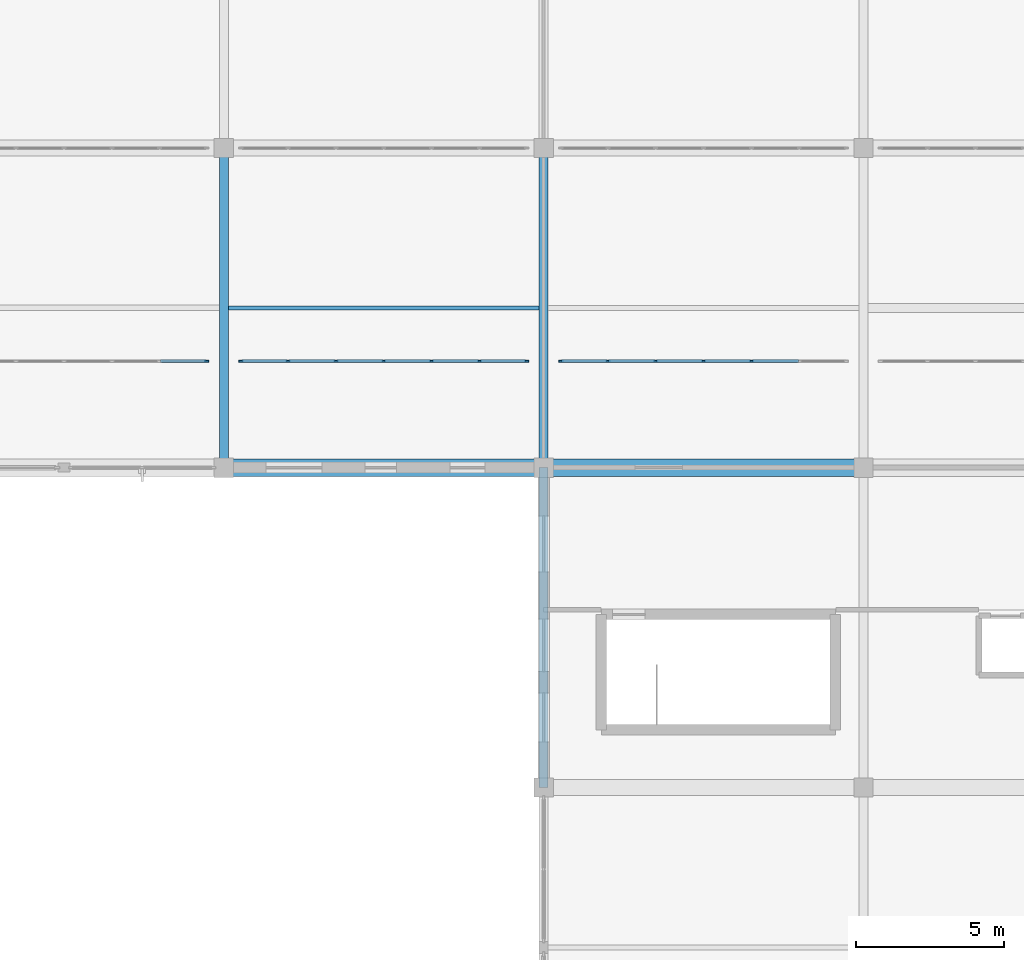
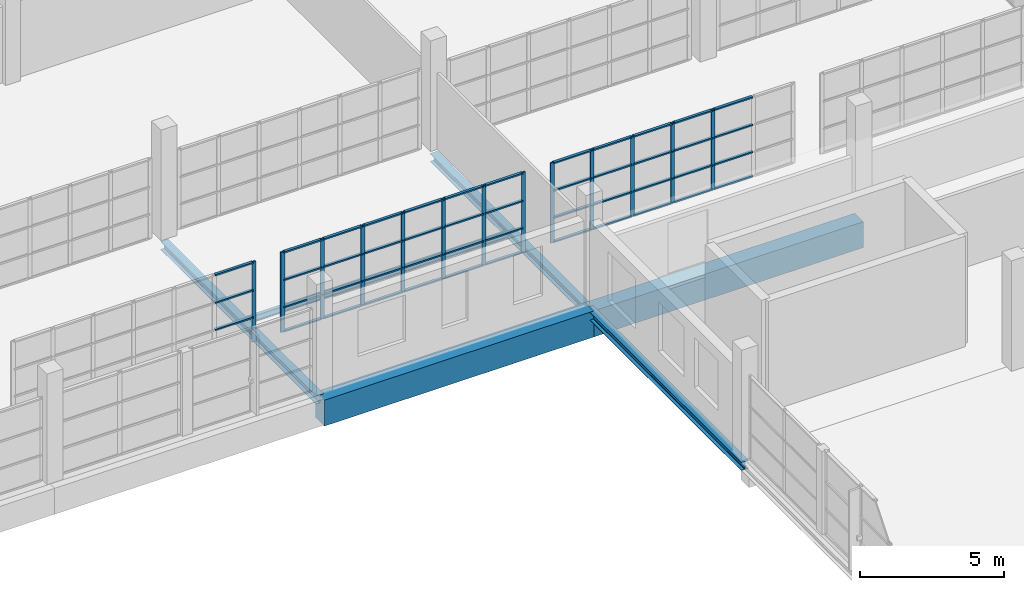
# One storey, part 69 of 142: 60 members, 6 beams, 3 elements without a shape of their own.
"""IFC4 building model written with IfcOpenShell, lengths in metres."""

from ifc_helpers import new_model, si_unit, direction, frame, origin, origin_2d, place, context, subcontext, project, spatial, rectangle, i_section, extrude, material, material_profile, profile_set, type_object, element, aggregate, save


model = new_model("IFC4")

# Units and contexts
model_context = context("Model", 3, precision=1e-05, world=origin(), true_north=direction((0.0, 1.0)))
body_context = subcontext(model_context, "Body", "Model", "MODEL_VIEW")
ifc_project = project(units=[si_unit("LENGTHUNIT", "METRE"), si_unit("AREAUNIT", "SQUARE_METRE"), si_unit("VOLUMEUNIT", "CUBIC_METRE"), si_unit("PLANEANGLEUNIT", "RADIAN"), si_unit("MASSUNIT", "GRAM", prefix="KILO")], contexts=[model_context])

# Site, building, storey
site_placement = place(None, origin())
site = spatial("IfcSite", under=ifc_project, at=site_placement, CompositionType="ELEMENT")
building_placement = place(site_placement, origin())
building = spatial("IfcBuilding", under=site, at=building_placement, Name="Zwinboog Wholesale Market", CompositionType="ELEMENT")
storey_placement = place(building_placement, frame((0.0, 0.0, 5.39990234375)))
storey = spatial("IfcBuildingStorey", under=building, at=storey_placement, Name="L01", CompositionType="ELEMENT", Elevation=5.39990234375)

# Beams
ifc_material_1 = material(Name="Precast concrete C45/55", Category="concrete")
ifc_material_profile_1 = material_profile(ifc_material_1, rectangle(XDim=0.60009765625, YDim=1.10009765625, at=origin_2d()), Name="PC 600x1100")
ifc_profile_set_1 = profile_set([ifc_material_profile_1], Name="Precast concrete C45/55")
beam_type_1 = type_object("IfcBeamType", Name="BT-01", PredefinedType="BEAM", material=ifc_profile_set_1)
for number, where, z_axis, x_axis, name in (
    (1, (140.39990234375, 86.39990234375, -0.8818359375), (1.0, 0.0, 0.0), (0.0, 1.0, 0.0), "BG-01 (BMG-L01-1404-0864-0522)"),
    (2, (151.199951171875, 86.39990234375, -0.8818359375), (1.0, 0.0, 0.0), (0.0, 1.0, 0.0), "BG-01 (BMG-L01-1512-0864-0523)"),
):
    element("IfcBeam", number, at=place(storey_placement, frame(where, z_axis=z_axis, x_axis=x_axis)), inside=storey, type_object=beam_type_1, Name=name, PredefinedType="BEAM", context=body_context, shape_type="SweptSolid", body=[
        extrude(rectangle(XDim=0.60009765625, YDim=1.10009765625, at=origin_2d()), origin(), (0.0, 0.0, 1.0), 10.800048828125),
    ])
ifc_material_2 = material(Name="Steel S355", Category="steel")
ifc_material_profile_2 = material_profile(ifc_material_2, i_section(OverallWidth=0.300048828125, OverallDepth=0.35009765625, WebThickness=0.010009765625, FlangeThickness=0.017578125, FilletRadius=0.027099609375, at=origin_2d()), Name="HEA 360")
ifc_profile_set_2 = profile_set([ifc_material_profile_2], Name="Steel S355")
beam_type_2 = type_object("IfcBeamType", Name="BT-17", PredefinedType="BEAM", material=ifc_profile_set_2)
beam_1_placement = place(storey_placement, frame((140.39990234375, 86.39990234375, -0.454833984375), z_axis=(0.0, 1.0, 0.0), x_axis=(-1.0, 0.0, 0.0)))
element("IfcBeam", 3, at=beam_1_placement, inside=storey, type_object=beam_type_2, Name="SB-04 (BMG-L01-1404-0864-0717)", PredefinedType="BEAM", context=body_context, shape_type="SweptSolid", body=[
    extrude(i_section(OverallWidth=0.300048828125, OverallDepth=0.35009765625, WebThickness=0.010009765625, FlangeThickness=0.017578125, FilletRadius=0.027099609375, at=origin_2d()), origin(), (0.0, 0.0, 1.0), 10.800048828125),
])
beam_2_placement = place(storey_placement, frame((151.199951171875, 75.60009765625, -0.5068359375), z_axis=(0.0, 1.0, 0.0), x_axis=(-1.0, 0.0, 0.0)))
element("IfcBeam", 4, at=beam_2_placement, inside=storey, type_object=beam_type_2, Name="SB-04 (BMG-L01-1512-0756-0728)", PredefinedType="BEAM", context=body_context, shape_type="SweptSolid", body=[
    extrude(i_section(OverallWidth=0.300048828125, OverallDepth=0.35009765625, WebThickness=0.010009765625, FlangeThickness=0.017578125, FilletRadius=0.027099609375, at=origin_2d()), origin(), (0.0, 0.0, 1.0), 10.7998046875),
])
beam_3_placement = place(storey_placement, frame((151.199951171875, 86.39990234375, -0.5068359375), z_axis=(0.0, 1.0, 0.0), x_axis=(-1.0, 0.0, 0.0)))
element("IfcBeam", 5, at=beam_3_placement, inside=storey, type_object=beam_type_2, Name="SB-04 (BMG-L01-1512-0864-0729)", PredefinedType="BEAM", context=body_context, shape_type="SweptSolid", body=[
    extrude(i_section(OverallWidth=0.300048828125, OverallDepth=0.35009765625, WebThickness=0.010009765625, FlangeThickness=0.017578125, FilletRadius=0.027099609375, at=origin_2d()), origin(), (0.0, 0.0, 1.0), 10.800048828125),
])
ifc_material_profile_3 = material_profile(ifc_material_2, i_section(OverallWidth=0.135009765625, OverallDepth=0.27001953125, WebThickness=0.006591796875, FlangeThickness=0.01025390625, FilletRadius=0.014892578125, at=origin_2d()), Name="IPE 270")
ifc_profile_set_3 = profile_set([ifc_material_profile_3], Name="Steel S355")
beam_type_3 = type_object("IfcBeamType", Name="BT-21", PredefinedType="JOIST", material=ifc_profile_set_3)
beam_4_placement = place(storey_placement, frame((140.550048828125, 91.800048828125, -0.466796875), z_axis=(1.0, 0.0, 0.0), x_axis=(0.0, 1.0, 0.0)))
element("IfcBeam", 6, at=beam_4_placement, inside=storey, type_object=beam_type_3, Name="SJ-04 (BMG-L01-1406-0918-0844)", PredefinedType="JOIST", context=body_context, shape_type="SweptSolid", body=[
    extrude(i_section(OverallWidth=0.135009765625, OverallDepth=0.27001953125, WebThickness=0.006591796875, FlangeThickness=0.01025390625, FilletRadius=0.014892578125, at=origin_2d()), origin(), (0.0, 0.0, 1.0), 10.5),
])

# Curtain wall, member
ifc_material_3 = material(Name="Aluminium thermally broken curtain wall", Category="aluminium")
curtain_wall_type = type_object("IfcCurtainWallType", Name="CWT-INT-STALL", PredefinedType="USERDEFINED", material=ifc_material_3)
curtain_wall_1_placement = place(storey_placement, origin())
curtain_wall_1 = element("IfcCurtainWall", 7, at=curtain_wall_1_placement, inside=storey, type_object=curtain_wall_type, Name="CW-07 (CW-STL-241)", ObjectType="STOREFRONT_GLAZING", PredefinedType="USERDEFINED")
ifc_material_4 = material(Name="Aluminium EN AW-6060", Category="aluminium")
ifc_material_profile_4 = material_profile(ifc_material_4, rectangle(XDim=0.06005859375, YDim=0.14990234375, at=origin_2d()), Name="AL 60x150")
ifc_profile_set_4 = profile_set([ifc_material_profile_4], Name="Aluminium EN AW-6060")
member_type_1 = type_object("IfcMemberType", Name="CWM-INT-60x120", PredefinedType="MULLION", material=ifc_profile_set_4)
member_1_placement = place(storey_placement, frame((139.820068359375, 90.0, 0.0), z_axis=(0.0, 0.0, 1.0), x_axis=(0.0, 1.0, 0.0)))
member_1 = element("IfcMember", 8, at=member_1_placement, type_object=member_type_1, Name="CW-07 mullion 7", PredefinedType="MULLION", context=body_context, shape_type="SweptSolid", body=[
    extrude(rectangle(XDim=0.06005859375, YDim=0.14990234375, at=origin_2d()), origin(), (0.0, 0.0, 1.0), 3.400146484375),
])

# Curtain wall, members
curtain_wall_2_placement = place(storey_placement, origin())
curtain_wall_2 = element("IfcCurtainWall", 9, at=curtain_wall_2_placement, inside=storey, type_object=curtain_wall_type, Name="CW-07 (CW-STL-242)", ObjectType="STOREFRONT_GLAZING", PredefinedType="USERDEFINED")
member_2_placement = place(storey_placement, frame((140.97998046875, 90.0, 0.0), z_axis=(0.0, 0.0, 1.0), x_axis=(0.0, 1.0, 0.0)))
member_2 = element("IfcMember", 10, at=member_2_placement, type_object=member_type_1, Name="CW-07 mullion 1", PredefinedType="MULLION", context=body_context, shape_type="SweptSolid", body=[
    extrude(rectangle(XDim=0.06005859375, YDim=0.14990234375, at=origin_2d()), origin(), (0.0, 0.0, 1.0), 3.400146484375),
])
member_3_placement = place(storey_placement, frame((142.566650390625, 90.0, 0.0), z_axis=(0.0, 0.0, 1.0), x_axis=(0.0, 1.0, 0.0)))
member_3 = element("IfcMember", 11, at=member_3_placement, type_object=member_type_1, Name="CW-07 mullion 2", PredefinedType="MULLION", context=body_context, shape_type="SweptSolid", body=[
    extrude(rectangle(XDim=0.06005859375, YDim=0.14990234375, at=origin_2d()), origin(), (0.0, 0.0, 1.0), 3.400146484375),
])
member_4_placement = place(storey_placement, frame((144.183349609375, 90.0, 0.0), z_axis=(0.0, 0.0, 1.0), x_axis=(0.0, 1.0, 0.0)))
member_4 = element("IfcMember", 12, at=member_4_placement, type_object=member_type_1, Name="CW-07 mullion 3", PredefinedType="MULLION", context=body_context, shape_type="SweptSolid", body=[
    extrude(rectangle(XDim=0.06005859375, YDim=0.14990234375, at=origin_2d()), origin(), (0.0, 0.0, 1.0), 3.400146484375),
])
member_5_placement = place(storey_placement, frame((145.800048828125, 90.0, 0.0), z_axis=(0.0, 0.0, 1.0), x_axis=(0.0, 1.0, 0.0)))
member_5 = element("IfcMember", 13, at=member_5_placement, type_object=member_type_1, Name="CW-07 mullion 4", PredefinedType="MULLION", context=body_context, shape_type="SweptSolid", body=[
    extrude(rectangle(XDim=0.06005859375, YDim=0.14990234375, at=origin_2d()), origin(), (0.0, 0.0, 1.0), 3.400146484375),
])
member_6_placement = place(storey_placement, frame((147.416748046875, 90.0, 0.0), z_axis=(0.0, 0.0, 1.0), x_axis=(0.0, 1.0, 0.0)))
member_6 = element("IfcMember", 14, at=member_6_placement, type_object=member_type_1, Name="CW-07 mullion 5", PredefinedType="MULLION", context=body_context, shape_type="SweptSolid", body=[
    extrude(rectangle(XDim=0.06005859375, YDim=0.14990234375, at=origin_2d()), origin(), (0.0, 0.0, 1.0), 3.400146484375),
])
member_7_placement = place(storey_placement, frame((149.033447265625, 90.0, 0.0), z_axis=(0.0, 0.0, 1.0), x_axis=(0.0, 1.0, 0.0)))
member_7 = element("IfcMember", 15, at=member_7_placement, type_object=member_type_1, Name="CW-07 mullion 6", PredefinedType="MULLION", context=body_context, shape_type="SweptSolid", body=[
    extrude(rectangle(XDim=0.06005859375, YDim=0.14990234375, at=origin_2d()), origin(), (0.0, 0.0, 1.0), 3.400146484375),
])
member_8_placement = place(storey_placement, frame((150.6201171875, 90.0, 0.0), z_axis=(0.0, 0.0, 1.0), x_axis=(0.0, 1.0, 0.0)))
member_8 = element("IfcMember", 16, at=member_8_placement, type_object=member_type_1, Name="CW-07 mullion 7", PredefinedType="MULLION", context=body_context, shape_type="SweptSolid", body=[
    extrude(rectangle(XDim=0.06005859375, YDim=0.14990234375, at=origin_2d()), origin(), (0.0, 0.0, 1.0), 3.400146484375),
])

curtain_wall_3_placement = place(storey_placement, origin())
curtain_wall_3 = element("IfcCurtainWall", 17, at=curtain_wall_3_placement, inside=storey, type_object=curtain_wall_type, Name="CW-07 (CW-STL-243)", ObjectType="STOREFRONT_GLAZING", PredefinedType="USERDEFINED")
member_9_placement = place(storey_placement, frame((151.780029296875, 90.0, 0.0), z_axis=(0.0, 0.0, 1.0), x_axis=(0.0, 1.0, 0.0)))
member_9 = element("IfcMember", 18, at=member_9_placement, type_object=member_type_1, Name="CW-07 mullion 1", PredefinedType="MULLION", context=body_context, shape_type="SweptSolid", body=[
    extrude(rectangle(XDim=0.06005859375, YDim=0.14990234375, at=origin_2d()), origin(), (0.0, 0.0, 1.0), 3.400146484375),
])
member_10_placement = place(storey_placement, frame((153.36669921875, 90.0, 0.0), z_axis=(0.0, 0.0, 1.0), x_axis=(0.0, 1.0, 0.0)))
member_10 = element("IfcMember", 19, at=member_10_placement, type_object=member_type_1, Name="CW-07 mullion 2", PredefinedType="MULLION", context=body_context, shape_type="SweptSolid", body=[
    extrude(rectangle(XDim=0.06005859375, YDim=0.14990234375, at=origin_2d()), origin(), (0.0, 0.0, 1.0), 3.400146484375),
])
member_11_placement = place(storey_placement, frame((154.9833984375, 90.0, 0.0), z_axis=(0.0, 0.0, 1.0), x_axis=(0.0, 1.0, 0.0)))
member_11 = element("IfcMember", 20, at=member_11_placement, type_object=member_type_1, Name="CW-07 mullion 3", PredefinedType="MULLION", context=body_context, shape_type="SweptSolid", body=[
    extrude(rectangle(XDim=0.06005859375, YDim=0.14990234375, at=origin_2d()), origin(), (0.0, 0.0, 1.0), 3.400146484375),
])
member_12_placement = place(storey_placement, frame((156.60009765625, 90.0, 0.0), z_axis=(0.0, 0.0, 1.0), x_axis=(0.0, 1.0, 0.0)))
member_12 = element("IfcMember", 21, at=member_12_placement, type_object=member_type_1, Name="CW-07 mullion 4", PredefinedType="MULLION", context=body_context, shape_type="SweptSolid", body=[
    extrude(rectangle(XDim=0.06005859375, YDim=0.14990234375, at=origin_2d()), origin(), (0.0, 0.0, 1.0), 3.400146484375),
])
member_13_placement = place(storey_placement, frame((158.216552734375, 90.0, 0.0), z_axis=(0.0, 0.0, 1.0), x_axis=(0.0, 1.0, 0.0)))
member_13 = element("IfcMember", 22, at=member_13_placement, type_object=member_type_1, Name="CW-07 mullion 5", PredefinedType="MULLION", context=body_context, shape_type="SweptSolid", body=[
    extrude(rectangle(XDim=0.06005859375, YDim=0.14990234375, at=origin_2d()), origin(), (0.0, 0.0, 1.0), 3.400146484375),
])

# Member
ifc_material_profile_5 = material_profile(ifc_material_4, rectangle(XDim=0.110107421875, YDim=0.06005859375, at=origin_2d()), Name="AL 60x110")
ifc_profile_set_5 = profile_set([ifc_material_profile_5], Name="Aluminium EN AW-6060")
member_type_2 = type_object("IfcMemberType", Name="CWT-INT-60x100", PredefinedType="USERDEFINED", material=ifc_profile_set_5)
member_14_placement = place(storey_placement, frame((138.263427734375, 90.0, 1.050048828125), z_axis=(1.0, 0.0, 0.0), x_axis=(0.0, 1.0, 0.0)))
member_14 = element("IfcMember", 23, at=member_14_placement, type_object=member_type_2, Name="CW-07 transom 6.2", ObjectType="TRANSOM", PredefinedType="USERDEFINED", context=body_context, shape_type="SweptSolid", body=[
    extrude(rectangle(XDim=0.110107421875, YDim=0.06005859375, at=origin_2d()), origin(), (0.0, 0.0, 1.0), 1.526611328125),
])

member_15_placement = place(storey_placement, frame((138.263427734375, 90.0, 2.2001953125), z_axis=(1.0, 0.0, 0.0), x_axis=(0.0, 1.0, 0.0)))
member_15 = element("IfcMember", 24, at=member_15_placement, type_object=member_type_2, Name="CW-07 transom 6.3", ObjectType="TRANSOM", PredefinedType="USERDEFINED", context=body_context, shape_type="SweptSolid", body=[
    extrude(rectangle(XDim=0.110107421875, YDim=0.06005859375, at=origin_2d()), origin(), (0.0, 0.0, 1.0), 1.526611328125),
])

member_16_placement = place(storey_placement, frame((138.263427734375, 90.0, 3.3701171875), z_axis=(1.0, 0.0, 0.0), x_axis=(0.0, 1.0, 0.0)))
member_16 = element("IfcMember", 25, at=member_16_placement, type_object=member_type_2, Name="CW-07 transom 6.4", ObjectType="TRANSOM", PredefinedType="USERDEFINED", context=body_context, shape_type="SweptSolid", body=[
    extrude(rectangle(XDim=0.110107421875, YDim=0.06005859375, at=origin_2d()), origin(), (0.0, 0.0, 1.0), 1.526611328125),
])

aggregate(curtain_wall_1, [member_1, member_14, member_15, member_16])

member_17_placement = place(storey_placement, frame((141.010009765625, 90.0, 0.030029296875), z_axis=(1.0, 0.0, 0.0), x_axis=(0.0, 1.0, 0.0)))
member_17 = element("IfcMember", 26, at=member_17_placement, type_object=member_type_2, Name="CW-07 transom 1.1", ObjectType="TRANSOM", PredefinedType="USERDEFINED", context=body_context, shape_type="SweptSolid", body=[
    extrude(rectangle(XDim=0.110107421875, YDim=0.06005859375, at=origin_2d()), origin(), (0.0, 0.0, 1.0), 1.526611328125),
])

member_18_placement = place(storey_placement, frame((141.010009765625, 90.0, 1.050048828125), z_axis=(1.0, 0.0, 0.0), x_axis=(0.0, 1.0, 0.0)))
member_18 = element("IfcMember", 27, at=member_18_placement, type_object=member_type_2, Name="CW-07 transom 1.2", ObjectType="TRANSOM", PredefinedType="USERDEFINED", context=body_context, shape_type="SweptSolid", body=[
    extrude(rectangle(XDim=0.110107421875, YDim=0.06005859375, at=origin_2d()), origin(), (0.0, 0.0, 1.0), 1.526611328125),
])

member_19_placement = place(storey_placement, frame((141.010009765625, 90.0, 2.2001953125), z_axis=(1.0, 0.0, 0.0), x_axis=(0.0, 1.0, 0.0)))
member_19 = element("IfcMember", 28, at=member_19_placement, type_object=member_type_2, Name="CW-07 transom 1.3", ObjectType="TRANSOM", PredefinedType="USERDEFINED", context=body_context, shape_type="SweptSolid", body=[
    extrude(rectangle(XDim=0.110107421875, YDim=0.06005859375, at=origin_2d()), origin(), (0.0, 0.0, 1.0), 1.526611328125),
])

member_20_placement = place(storey_placement, frame((141.010009765625, 90.0, 3.3701171875), z_axis=(1.0, 0.0, 0.0), x_axis=(0.0, 1.0, 0.0)))
member_20 = element("IfcMember", 29, at=member_20_placement, type_object=member_type_2, Name="CW-07 transom 1.4", ObjectType="TRANSOM", PredefinedType="USERDEFINED", context=body_context, shape_type="SweptSolid", body=[
    extrude(rectangle(XDim=0.110107421875, YDim=0.06005859375, at=origin_2d()), origin(), (0.0, 0.0, 1.0), 1.526611328125),
])

member_21_placement = place(storey_placement, frame((142.5966796875, 90.0, 0.030029296875), z_axis=(1.0, 0.0, 0.0), x_axis=(0.0, 1.0, 0.0)))
member_21 = element("IfcMember", 30, at=member_21_placement, type_object=member_type_2, Name="CW-07 transom 2.1", ObjectType="TRANSOM", PredefinedType="USERDEFINED", context=body_context, shape_type="SweptSolid", body=[
    extrude(rectangle(XDim=0.110107421875, YDim=0.06005859375, at=origin_2d()), origin(), (0.0, 0.0, 1.0), 1.556640625),
])

member_22_placement = place(storey_placement, frame((142.5966796875, 90.0, 1.050048828125), z_axis=(1.0, 0.0, 0.0), x_axis=(0.0, 1.0, 0.0)))
member_22 = element("IfcMember", 31, at=member_22_placement, type_object=member_type_2, Name="CW-07 transom 2.2", ObjectType="TRANSOM", PredefinedType="USERDEFINED", context=body_context, shape_type="SweptSolid", body=[
    extrude(rectangle(XDim=0.110107421875, YDim=0.06005859375, at=origin_2d()), origin(), (0.0, 0.0, 1.0), 1.556640625),
])

member_23_placement = place(storey_placement, frame((142.5966796875, 90.0, 2.2001953125), z_axis=(1.0, 0.0, 0.0), x_axis=(0.0, 1.0, 0.0)))
member_23 = element("IfcMember", 32, at=member_23_placement, type_object=member_type_2, Name="CW-07 transom 2.3", ObjectType="TRANSOM", PredefinedType="USERDEFINED", context=body_context, shape_type="SweptSolid", body=[
    extrude(rectangle(XDim=0.110107421875, YDim=0.06005859375, at=origin_2d()), origin(), (0.0, 0.0, 1.0), 1.556640625),
])

member_24_placement = place(storey_placement, frame((142.5966796875, 90.0, 3.3701171875), z_axis=(1.0, 0.0, 0.0), x_axis=(0.0, 1.0, 0.0)))
member_24 = element("IfcMember", 33, at=member_24_placement, type_object=member_type_2, Name="CW-07 transom 2.4", ObjectType="TRANSOM", PredefinedType="USERDEFINED", context=body_context, shape_type="SweptSolid", body=[
    extrude(rectangle(XDim=0.110107421875, YDim=0.06005859375, at=origin_2d()), origin(), (0.0, 0.0, 1.0), 1.556640625),
])

member_25_placement = place(storey_placement, frame((144.21337890625, 90.0, 0.030029296875), z_axis=(1.0, 0.0, 0.0), x_axis=(0.0, 1.0, 0.0)))
member_25 = element("IfcMember", 34, at=member_25_placement, type_object=member_type_2, Name="CW-07 transom 3.1", ObjectType="TRANSOM", PredefinedType="USERDEFINED", context=body_context, shape_type="SweptSolid", body=[
    extrude(rectangle(XDim=0.110107421875, YDim=0.06005859375, at=origin_2d()), origin(), (0.0, 0.0, 1.0), 1.556640625),
])

member_26_placement = place(storey_placement, frame((144.21337890625, 90.0, 1.050048828125), z_axis=(1.0, 0.0, 0.0), x_axis=(0.0, 1.0, 0.0)))
member_26 = element("IfcMember", 35, at=member_26_placement, type_object=member_type_2, Name="CW-07 transom 3.2", ObjectType="TRANSOM", PredefinedType="USERDEFINED", context=body_context, shape_type="SweptSolid", body=[
    extrude(rectangle(XDim=0.110107421875, YDim=0.06005859375, at=origin_2d()), origin(), (0.0, 0.0, 1.0), 1.556640625),
])

member_27_placement = place(storey_placement, frame((144.21337890625, 90.0, 2.2001953125), z_axis=(1.0, 0.0, 0.0), x_axis=(0.0, 1.0, 0.0)))
member_27 = element("IfcMember", 36, at=member_27_placement, type_object=member_type_2, Name="CW-07 transom 3.3", ObjectType="TRANSOM", PredefinedType="USERDEFINED", context=body_context, shape_type="SweptSolid", body=[
    extrude(rectangle(XDim=0.110107421875, YDim=0.06005859375, at=origin_2d()), origin(), (0.0, 0.0, 1.0), 1.556640625),
])

member_28_placement = place(storey_placement, frame((144.21337890625, 90.0, 3.3701171875), z_axis=(1.0, 0.0, 0.0), x_axis=(0.0, 1.0, 0.0)))
member_28 = element("IfcMember", 37, at=member_28_placement, type_object=member_type_2, Name="CW-07 transom 3.4", ObjectType="TRANSOM", PredefinedType="USERDEFINED", context=body_context, shape_type="SweptSolid", body=[
    extrude(rectangle(XDim=0.110107421875, YDim=0.06005859375, at=origin_2d()), origin(), (0.0, 0.0, 1.0), 1.556640625),
])

member_29_placement = place(storey_placement, frame((145.830078125, 90.0, 0.030029296875), z_axis=(1.0, 0.0, 0.0), x_axis=(0.0, 1.0, 0.0)))
member_29 = element("IfcMember", 38, at=member_29_placement, type_object=member_type_2, Name="CW-07 transom 4.1", ObjectType="TRANSOM", PredefinedType="USERDEFINED", context=body_context, shape_type="SweptSolid", body=[
    extrude(rectangle(XDim=0.110107421875, YDim=0.06005859375, at=origin_2d()), origin(), (0.0, 0.0, 1.0), 1.556640625),
])

member_30_placement = place(storey_placement, frame((145.830078125, 90.0, 1.050048828125), z_axis=(1.0, 0.0, 0.0), x_axis=(0.0, 1.0, 0.0)))
member_30 = element("IfcMember", 39, at=member_30_placement, type_object=member_type_2, Name="CW-07 transom 4.2", ObjectType="TRANSOM", PredefinedType="USERDEFINED", context=body_context, shape_type="SweptSolid", body=[
    extrude(rectangle(XDim=0.110107421875, YDim=0.06005859375, at=origin_2d()), origin(), (0.0, 0.0, 1.0), 1.556640625),
])

member_31_placement = place(storey_placement, frame((145.830078125, 90.0, 2.2001953125), z_axis=(1.0, 0.0, 0.0), x_axis=(0.0, 1.0, 0.0)))
member_31 = element("IfcMember", 40, at=member_31_placement, type_object=member_type_2, Name="CW-07 transom 4.3", ObjectType="TRANSOM", PredefinedType="USERDEFINED", context=body_context, shape_type="SweptSolid", body=[
    extrude(rectangle(XDim=0.110107421875, YDim=0.06005859375, at=origin_2d()), origin(), (0.0, 0.0, 1.0), 1.556640625),
])

member_32_placement = place(storey_placement, frame((145.830078125, 90.0, 3.3701171875), z_axis=(1.0, 0.0, 0.0), x_axis=(0.0, 1.0, 0.0)))
member_32 = element("IfcMember", 41, at=member_32_placement, type_object=member_type_2, Name="CW-07 transom 4.4", ObjectType="TRANSOM", PredefinedType="USERDEFINED", context=body_context, shape_type="SweptSolid", body=[
    extrude(rectangle(XDim=0.110107421875, YDim=0.06005859375, at=origin_2d()), origin(), (0.0, 0.0, 1.0), 1.556640625),
])

member_33_placement = place(storey_placement, frame((147.44677734375, 90.0, 0.030029296875), z_axis=(1.0, 0.0, 0.0), x_axis=(0.0, 1.0, 0.0)))
member_33 = element("IfcMember", 42, at=member_33_placement, type_object=member_type_2, Name="CW-07 transom 5.1", ObjectType="TRANSOM", PredefinedType="USERDEFINED", context=body_context, shape_type="SweptSolid", body=[
    extrude(rectangle(XDim=0.110107421875, YDim=0.06005859375, at=origin_2d()), origin(), (0.0, 0.0, 1.0), 1.556640625),
])

member_34_placement = place(storey_placement, frame((147.44677734375, 90.0, 1.050048828125), z_axis=(1.0, 0.0, 0.0), x_axis=(0.0, 1.0, 0.0)))
member_34 = element("IfcMember", 43, at=member_34_placement, type_object=member_type_2, Name="CW-07 transom 5.2", ObjectType="TRANSOM", PredefinedType="USERDEFINED", context=body_context, shape_type="SweptSolid", body=[
    extrude(rectangle(XDim=0.110107421875, YDim=0.06005859375, at=origin_2d()), origin(), (0.0, 0.0, 1.0), 1.556640625),
])

member_35_placement = place(storey_placement, frame((147.44677734375, 90.0, 2.2001953125), z_axis=(1.0, 0.0, 0.0), x_axis=(0.0, 1.0, 0.0)))
member_35 = element("IfcMember", 44, at=member_35_placement, type_object=member_type_2, Name="CW-07 transom 5.3", ObjectType="TRANSOM", PredefinedType="USERDEFINED", context=body_context, shape_type="SweptSolid", body=[
    extrude(rectangle(XDim=0.110107421875, YDim=0.06005859375, at=origin_2d()), origin(), (0.0, 0.0, 1.0), 1.556640625),
])

member_36_placement = place(storey_placement, frame((147.44677734375, 90.0, 3.3701171875), z_axis=(1.0, 0.0, 0.0), x_axis=(0.0, 1.0, 0.0)))
member_36 = element("IfcMember", 45, at=member_36_placement, type_object=member_type_2, Name="CW-07 transom 5.4", ObjectType="TRANSOM", PredefinedType="USERDEFINED", context=body_context, shape_type="SweptSolid", body=[
    extrude(rectangle(XDim=0.110107421875, YDim=0.06005859375, at=origin_2d()), origin(), (0.0, 0.0, 1.0), 1.556640625),
])

member_37_placement = place(storey_placement, frame((149.063232421875, 90.0, 0.030029296875), z_axis=(1.0, 0.0, 0.0), x_axis=(0.0, 1.0, 0.0)))
member_37 = element("IfcMember", 46, at=member_37_placement, type_object=member_type_2, Name="CW-07 transom 6.1", ObjectType="TRANSOM", PredefinedType="USERDEFINED", context=body_context, shape_type="SweptSolid", body=[
    extrude(rectangle(XDim=0.110107421875, YDim=0.06005859375, at=origin_2d()), origin(), (0.0, 0.0, 1.0), 1.52685546875),
])

member_38_placement = place(storey_placement, frame((149.063232421875, 90.0, 1.050048828125), z_axis=(1.0, 0.0, 0.0), x_axis=(0.0, 1.0, 0.0)))
member_38 = element("IfcMember", 47, at=member_38_placement, type_object=member_type_2, Name="CW-07 transom 6.2", ObjectType="TRANSOM", PredefinedType="USERDEFINED", context=body_context, shape_type="SweptSolid", body=[
    extrude(rectangle(XDim=0.110107421875, YDim=0.06005859375, at=origin_2d()), origin(), (0.0, 0.0, 1.0), 1.52685546875),
])

member_39_placement = place(storey_placement, frame((149.063232421875, 90.0, 2.2001953125), z_axis=(1.0, 0.0, 0.0), x_axis=(0.0, 1.0, 0.0)))
member_39 = element("IfcMember", 48, at=member_39_placement, type_object=member_type_2, Name="CW-07 transom 6.3", ObjectType="TRANSOM", PredefinedType="USERDEFINED", context=body_context, shape_type="SweptSolid", body=[
    extrude(rectangle(XDim=0.110107421875, YDim=0.06005859375, at=origin_2d()), origin(), (0.0, 0.0, 1.0), 1.52685546875),
])

member_40_placement = place(storey_placement, frame((149.063232421875, 90.0, 3.3701171875), z_axis=(1.0, 0.0, 0.0), x_axis=(0.0, 1.0, 0.0)))
member_40 = element("IfcMember", 49, at=member_40_placement, type_object=member_type_2, Name="CW-07 transom 6.4", ObjectType="TRANSOM", PredefinedType="USERDEFINED", context=body_context, shape_type="SweptSolid", body=[
    extrude(rectangle(XDim=0.110107421875, YDim=0.06005859375, at=origin_2d()), origin(), (0.0, 0.0, 1.0), 1.52685546875),
])

aggregate(curtain_wall_2, [member_2, member_3, member_4, member_5, member_6, member_7, member_8, member_17, member_18, member_19, member_20, member_21, member_22, member_23, member_24, member_25, member_26, member_27, member_28, member_29, member_30, member_31, member_32, member_33, member_34, member_35, member_36, member_37, member_38, member_39, member_40])

member_41_placement = place(storey_placement, frame((151.81005859375, 90.0, 0.030029296875), z_axis=(1.0, 0.0, 0.0), x_axis=(0.0, 1.0, 0.0)))
member_41 = element("IfcMember", 50, at=member_41_placement, type_object=member_type_2, Name="CW-07 transom 1.1", ObjectType="TRANSOM", PredefinedType="USERDEFINED", context=body_context, shape_type="SweptSolid", body=[
    extrude(rectangle(XDim=0.110107421875, YDim=0.06005859375, at=origin_2d()), origin(), (0.0, 0.0, 1.0), 1.526611328125),
])

member_42_placement = place(storey_placement, frame((151.81005859375, 90.0, 1.050048828125), z_axis=(1.0, 0.0, 0.0), x_axis=(0.0, 1.0, 0.0)))
member_42 = element("IfcMember", 51, at=member_42_placement, type_object=member_type_2, Name="CW-07 transom 1.2", ObjectType="TRANSOM", PredefinedType="USERDEFINED", context=body_context, shape_type="SweptSolid", body=[
    extrude(rectangle(XDim=0.110107421875, YDim=0.06005859375, at=origin_2d()), origin(), (0.0, 0.0, 1.0), 1.526611328125),
])

member_43_placement = place(storey_placement, frame((151.81005859375, 90.0, 2.2001953125), z_axis=(1.0, 0.0, 0.0), x_axis=(0.0, 1.0, 0.0)))
member_43 = element("IfcMember", 52, at=member_43_placement, type_object=member_type_2, Name="CW-07 transom 1.3", ObjectType="TRANSOM", PredefinedType="USERDEFINED", context=body_context, shape_type="SweptSolid", body=[
    extrude(rectangle(XDim=0.110107421875, YDim=0.06005859375, at=origin_2d()), origin(), (0.0, 0.0, 1.0), 1.526611328125),
])

member_44_placement = place(storey_placement, frame((151.81005859375, 90.0, 3.3701171875), z_axis=(1.0, 0.0, 0.0), x_axis=(0.0, 1.0, 0.0)))
member_44 = element("IfcMember", 53, at=member_44_placement, type_object=member_type_2, Name="CW-07 transom 1.4", ObjectType="TRANSOM", PredefinedType="USERDEFINED", context=body_context, shape_type="SweptSolid", body=[
    extrude(rectangle(XDim=0.110107421875, YDim=0.06005859375, at=origin_2d()), origin(), (0.0, 0.0, 1.0), 1.526611328125),
])

member_45_placement = place(storey_placement, frame((153.396728515625, 90.0, 0.030029296875), z_axis=(1.0, 0.0, 0.0), x_axis=(0.0, 1.0, 0.0)))
member_45 = element("IfcMember", 54, at=member_45_placement, type_object=member_type_2, Name="CW-07 transom 2.1", ObjectType="TRANSOM", PredefinedType="USERDEFINED", context=body_context, shape_type="SweptSolid", body=[
    extrude(rectangle(XDim=0.110107421875, YDim=0.06005859375, at=origin_2d()), origin(), (0.0, 0.0, 1.0), 1.556640625),
])

member_46_placement = place(storey_placement, frame((153.396728515625, 90.0, 1.050048828125), z_axis=(1.0, 0.0, 0.0), x_axis=(0.0, 1.0, 0.0)))
member_46 = element("IfcMember", 55, at=member_46_placement, type_object=member_type_2, Name="CW-07 transom 2.2", ObjectType="TRANSOM", PredefinedType="USERDEFINED", context=body_context, shape_type="SweptSolid", body=[
    extrude(rectangle(XDim=0.110107421875, YDim=0.06005859375, at=origin_2d()), origin(), (0.0, 0.0, 1.0), 1.556640625),
])

member_47_placement = place(storey_placement, frame((153.396728515625, 90.0, 2.2001953125), z_axis=(1.0, 0.0, 0.0), x_axis=(0.0, 1.0, 0.0)))
member_47 = element("IfcMember", 56, at=member_47_placement, type_object=member_type_2, Name="CW-07 transom 2.3", ObjectType="TRANSOM", PredefinedType="USERDEFINED", context=body_context, shape_type="SweptSolid", body=[
    extrude(rectangle(XDim=0.110107421875, YDim=0.06005859375, at=origin_2d()), origin(), (0.0, 0.0, 1.0), 1.556640625),
])

member_48_placement = place(storey_placement, frame((153.396728515625, 90.0, 3.3701171875), z_axis=(1.0, 0.0, 0.0), x_axis=(0.0, 1.0, 0.0)))
member_48 = element("IfcMember", 57, at=member_48_placement, type_object=member_type_2, Name="CW-07 transom 2.4", ObjectType="TRANSOM", PredefinedType="USERDEFINED", context=body_context, shape_type="SweptSolid", body=[
    extrude(rectangle(XDim=0.110107421875, YDim=0.06005859375, at=origin_2d()), origin(), (0.0, 0.0, 1.0), 1.556640625),
])

member_49_placement = place(storey_placement, frame((155.013427734375, 90.0, 0.030029296875), z_axis=(1.0, 0.0, 0.0), x_axis=(0.0, 1.0, 0.0)))
member_49 = element("IfcMember", 58, at=member_49_placement, type_object=member_type_2, Name="CW-07 transom 3.1", ObjectType="TRANSOM", PredefinedType="USERDEFINED", context=body_context, shape_type="SweptSolid", body=[
    extrude(rectangle(XDim=0.110107421875, YDim=0.06005859375, at=origin_2d()), origin(), (0.0, 0.0, 1.0), 1.556640625),
])

member_50_placement = place(storey_placement, frame((155.013427734375, 90.0, 1.050048828125), z_axis=(1.0, 0.0, 0.0), x_axis=(0.0, 1.0, 0.0)))
member_50 = element("IfcMember", 59, at=member_50_placement, type_object=member_type_2, Name="CW-07 transom 3.2", ObjectType="TRANSOM", PredefinedType="USERDEFINED", context=body_context, shape_type="SweptSolid", body=[
    extrude(rectangle(XDim=0.110107421875, YDim=0.06005859375, at=origin_2d()), origin(), (0.0, 0.0, 1.0), 1.556640625),
])

member_51_placement = place(storey_placement, frame((155.013427734375, 90.0, 2.2001953125), z_axis=(1.0, 0.0, 0.0), x_axis=(0.0, 1.0, 0.0)))
member_51 = element("IfcMember", 60, at=member_51_placement, type_object=member_type_2, Name="CW-07 transom 3.3", ObjectType="TRANSOM", PredefinedType="USERDEFINED", context=body_context, shape_type="SweptSolid", body=[
    extrude(rectangle(XDim=0.110107421875, YDim=0.06005859375, at=origin_2d()), origin(), (0.0, 0.0, 1.0), 1.556640625),
])

member_52_placement = place(storey_placement, frame((155.013427734375, 90.0, 3.3701171875), z_axis=(1.0, 0.0, 0.0), x_axis=(0.0, 1.0, 0.0)))
member_52 = element("IfcMember", 61, at=member_52_placement, type_object=member_type_2, Name="CW-07 transom 3.4", ObjectType="TRANSOM", PredefinedType="USERDEFINED", context=body_context, shape_type="SweptSolid", body=[
    extrude(rectangle(XDim=0.110107421875, YDim=0.06005859375, at=origin_2d()), origin(), (0.0, 0.0, 1.0), 1.556640625),
])

member_53_placement = place(storey_placement, frame((156.6298828125, 90.0, 0.030029296875), z_axis=(1.0, 0.0, 0.0), x_axis=(0.0, 1.0, 0.0)))
member_53 = element("IfcMember", 62, at=member_53_placement, type_object=member_type_2, Name="CW-07 transom 4.1", ObjectType="TRANSOM", PredefinedType="USERDEFINED", context=body_context, shape_type="SweptSolid", body=[
    extrude(rectangle(XDim=0.110107421875, YDim=0.06005859375, at=origin_2d()), origin(), (0.0, 0.0, 1.0), 1.556884765625),
])

member_54_placement = place(storey_placement, frame((156.6298828125, 90.0, 1.050048828125), z_axis=(1.0, 0.0, 0.0), x_axis=(0.0, 1.0, 0.0)))
member_54 = element("IfcMember", 63, at=member_54_placement, type_object=member_type_2, Name="CW-07 transom 4.2", ObjectType="TRANSOM", PredefinedType="USERDEFINED", context=body_context, shape_type="SweptSolid", body=[
    extrude(rectangle(XDim=0.110107421875, YDim=0.06005859375, at=origin_2d()), origin(), (0.0, 0.0, 1.0), 1.556884765625),
])

member_55_placement = place(storey_placement, frame((156.6298828125, 90.0, 2.2001953125), z_axis=(1.0, 0.0, 0.0), x_axis=(0.0, 1.0, 0.0)))
member_55 = element("IfcMember", 64, at=member_55_placement, type_object=member_type_2, Name="CW-07 transom 4.3", ObjectType="TRANSOM", PredefinedType="USERDEFINED", context=body_context, shape_type="SweptSolid", body=[
    extrude(rectangle(XDim=0.110107421875, YDim=0.06005859375, at=origin_2d()), origin(), (0.0, 0.0, 1.0), 1.556884765625),
])

member_56_placement = place(storey_placement, frame((156.6298828125, 90.0, 3.3701171875), z_axis=(1.0, 0.0, 0.0), x_axis=(0.0, 1.0, 0.0)))
member_56 = element("IfcMember", 65, at=member_56_placement, type_object=member_type_2, Name="CW-07 transom 4.4", ObjectType="TRANSOM", PredefinedType="USERDEFINED", context=body_context, shape_type="SweptSolid", body=[
    extrude(rectangle(XDim=0.110107421875, YDim=0.06005859375, at=origin_2d()), origin(), (0.0, 0.0, 1.0), 1.556884765625),
])

member_57_placement = place(storey_placement, frame((158.24658203125, 90.0, 0.030029296875), z_axis=(1.0, 0.0, 0.0), x_axis=(0.0, 1.0, 0.0)))
member_57 = element("IfcMember", 66, at=member_57_placement, type_object=member_type_2, Name="CW-07 transom 5.1", ObjectType="TRANSOM", PredefinedType="USERDEFINED", context=body_context, shape_type="SweptSolid", body=[
    extrude(rectangle(XDim=0.110107421875, YDim=0.06005859375, at=origin_2d()), origin(), (0.0, 0.0, 1.0), 1.556640625),
])

member_58_placement = place(storey_placement, frame((158.24658203125, 90.0, 1.050048828125), z_axis=(1.0, 0.0, 0.0), x_axis=(0.0, 1.0, 0.0)))
member_58 = element("IfcMember", 67, at=member_58_placement, type_object=member_type_2, Name="CW-07 transom 5.2", ObjectType="TRANSOM", PredefinedType="USERDEFINED", context=body_context, shape_type="SweptSolid", body=[
    extrude(rectangle(XDim=0.110107421875, YDim=0.06005859375, at=origin_2d()), origin(), (0.0, 0.0, 1.0), 1.556640625),
])

member_59_placement = place(storey_placement, frame((158.24658203125, 90.0, 2.2001953125), z_axis=(1.0, 0.0, 0.0), x_axis=(0.0, 1.0, 0.0)))
member_59 = element("IfcMember", 68, at=member_59_placement, type_object=member_type_2, Name="CW-07 transom 5.3", ObjectType="TRANSOM", PredefinedType="USERDEFINED", context=body_context, shape_type="SweptSolid", body=[
    extrude(rectangle(XDim=0.110107421875, YDim=0.06005859375, at=origin_2d()), origin(), (0.0, 0.0, 1.0), 1.556640625),
])

member_60_placement = place(storey_placement, frame((158.24658203125, 90.0, 3.3701171875), z_axis=(1.0, 0.0, 0.0), x_axis=(0.0, 1.0, 0.0)))
member_60 = element("IfcMember", 69, at=member_60_placement, type_object=member_type_2, Name="CW-07 transom 5.4", ObjectType="TRANSOM", PredefinedType="USERDEFINED", context=body_context, shape_type="SweptSolid", body=[
    extrude(rectangle(XDim=0.110107421875, YDim=0.06005859375, at=origin_2d()), origin(), (0.0, 0.0, 1.0), 1.556640625),
])

aggregate(curtain_wall_3, [member_9, member_10, member_11, member_12, member_13, member_41, member_42, member_43, member_44, member_45, member_46, member_47, member_48, member_49, member_50, member_51, member_52, member_53, member_54, member_55, member_56, member_57, member_58, member_59, member_60])

save(model, "model.ifc")
